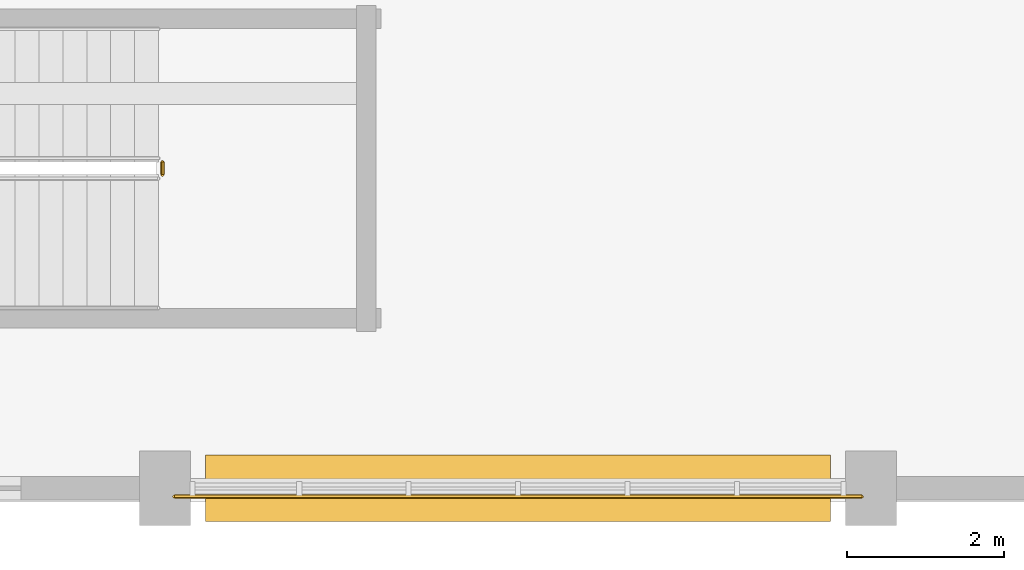
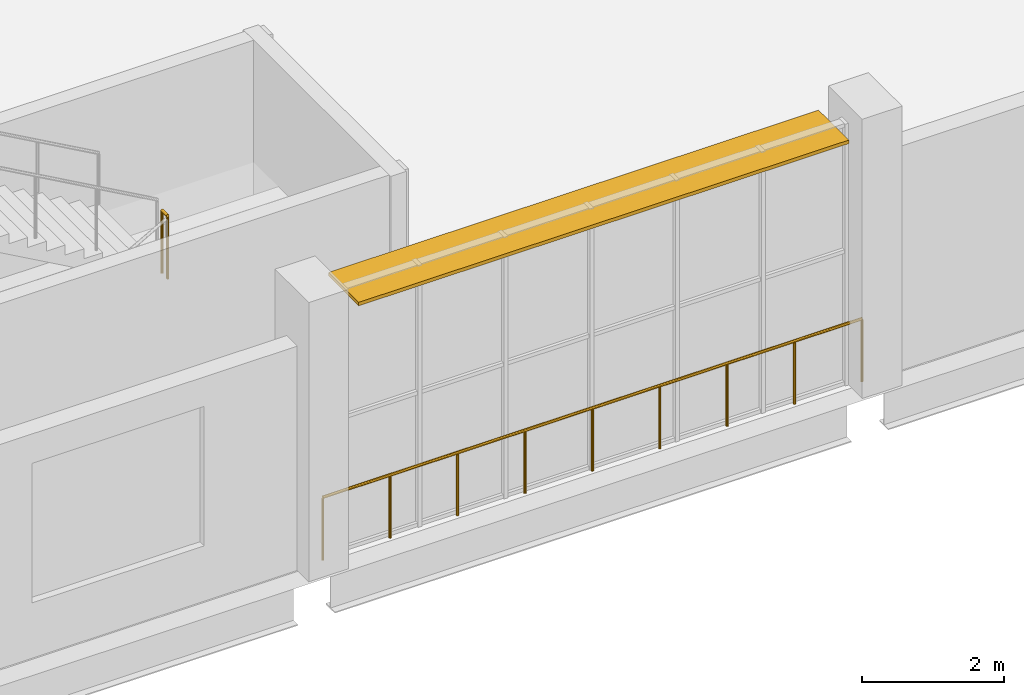
# One storey, part 127 of 179: 2 railings, 1 shading device.
"""IFC4 building model written with IfcOpenShell, lengths in metres."""

from ifc_helpers import new_model, si_unit, direction, frame, origin, origin_2d, place, context, subcontext, project, spatial, rectangle, circle, extrude, material, layer, layer_set, type_object, element, save


model = new_model("IFC4")

# Units and contexts
model_context = context("Model", 3, precision=1e-05, world=origin(), true_north=direction((0.0, 1.0)))
body_context = subcontext(model_context, "Body", "Model", "MODEL_VIEW")
ifc_project = project(units=[si_unit("LENGTHUNIT", "METRE"), si_unit("AREAUNIT", "SQUARE_METRE"), si_unit("VOLUMEUNIT", "CUBIC_METRE"), si_unit("PLANEANGLEUNIT", "RADIAN"), si_unit("MASSUNIT", "GRAM", prefix="KILO")], contexts=[model_context])

# Site, building, storey
site_placement = place(None, origin())
site = spatial("IfcSite", under=ifc_project, at=site_placement, CompositionType="ELEMENT")
building_placement = place(site_placement, origin())
building = spatial("IfcBuilding", under=site, at=building_placement, Name="Zevraka Park Crest Stadium", CompositionType="ELEMENT")
storey_placement = place(building_placement, frame((0.0, 0.0, 10.199951171875)))
storey = spatial("IfcBuildingStorey", under=building, at=storey_placement, Name="L02", CompositionType="ELEMENT", Elevation=10.199951171875)

# Railings
ifc_material_1 = material(Name="Galvanised and bronze-finished steel balustrade", Category="steel")
railing_type_1 = type_object("IfcRailingType", Name="GR01", PredefinedType="GUARDRAIL", material=ifc_material_1)
railing_1_placement = place(storey_placement, frame((53.884033203125, -0.10498046875, 0.0)))
element("IfcRailing", 1, at=railing_1_placement, inside=storey, type_object=railing_type_1, Name="Deck Edge Protection Guardrail GR01 L02-38", PredefinedType="GUARDRAIL", context=body_context, shape_type="SweptSolid", body=[
    extrude(circle(Radius=0.02392578125, at=origin_2d()), frame((0.0, 0.0, 1.076171875), z_axis=(-1.0, 0.0, 0.0), x_axis=(0.0, -1.0, 0.0)), (0.0, 0.0, 1.0), 8.76806640625),
    extrude(circle(Radius=0.02099609375, at=origin_2d()), origin(), (0.0, 0.0, 1.0), 1.052001953125),
    extrude(circle(Radius=0.02099609375, at=origin_2d()), frame((-1.095947265625, 0.0, 0.0)), (0.0, 0.0, 1.0), 1.052001953125),
    extrude(circle(Radius=0.02099609375, at=origin_2d()), frame((-2.19189453125, 0.0, 0.0)), (0.0, 0.0, 1.0), 1.052001953125),
    extrude(circle(Radius=0.02099609375, at=origin_2d()), frame((-3.2880859375, 0.0, 0.0)), (0.0, 0.0, 1.0), 1.052001953125),
    extrude(circle(Radius=0.02099609375, at=origin_2d()), frame((-4.384033203125, 0.0, 0.0)), (0.0, 0.0, 1.0), 1.052001953125),
    extrude(circle(Radius=0.02099609375, at=origin_2d()), frame((-5.47998046875, 0.0, 0.0)), (0.0, 0.0, 1.0), 1.052001953125),
    extrude(circle(Radius=0.02099609375, at=origin_2d()), frame((-6.576171875, 0.0, 0.0)), (0.0, 0.0, 1.0), 1.052001953125),
    extrude(circle(Radius=0.02099609375, at=origin_2d()), frame((-7.672119140625, 0.0, 0.0)), (0.0, 0.0, 1.0), 1.052001953125),
    extrude(circle(Radius=0.02099609375, at=origin_2d()), frame((-8.76806640625, 0.0, 0.0)), (0.0, 0.0, 1.0), 1.052001953125),
])
ifc_material_2 = material(Name="Powder-coated tubular steel stairwell guard", Category="steel")
railing_type_2 = type_object("IfcRailingType", Name="GR03", PredefinedType="GUARDRAIL", material=ifc_material_2)
railing_2_placement = place(storey_placement, frame((44.965087890625, 4.0, 2.400146484375)))
element("IfcRailing", 2, at=railing_2_placement, inside=storey, type_object=railing_type_2, Name="L02 ST52 stair guard 2", PredefinedType="GUARDRAIL", context=body_context, shape_type="SweptSolid", body=[
    extrude(circle(Radius=0.02392578125, at=origin_2d()), frame((0.0, 0.0, 1.076171875), z_axis=(0.0, 1.0, 0.0), x_axis=(-1.0, 0.0, 0.0)), (0.0, 0.0, 1.0), 0.159912109375),
    extrude(circle(Radius=0.02099609375, at=origin_2d()), origin(), (0.0, 0.0, 1.0), 1.052001953125),
    extrude(circle(Radius=0.02099609375, at=origin_2d()), frame((0.0, 0.159912109375, 0.0)), (0.0, 0.0, 1.0), 1.052001953125),
])

# Shading device
ifc_material_3 = material(Name="Architectural golden-bronze anodised bronze", Category="aluminium")
ifc_layer = layer(ifc_material_3, 0.06005859375)
ifc_layer_set = layer_set([ifc_layer], Name="Architectural golden-bronze anodised bronze")
shading_device_type = type_object("IfcShadingDeviceType", Name="SHD01", PredefinedType="USERDEFINED", material=ifc_layer_set)
shading_device_placement = place(storey_placement, frame((49.5, 0.0, 4.419921875), z_axis=(0.0, 0.0, 1.0), x_axis=(-1.0, 0.0, 0.0)))
element("IfcShadingDevice", 3, at=shading_device_placement, inside=storey, type_object=shading_device_type, Name="Wing Bronze Solar Screen SHD01 L02-SW-S1-4", ObjectType="SOLAR SCREEN", PredefinedType="USERDEFINED", context=body_context, shape_type="SweptSolid", body=[
    extrude(rectangle(XDim=7.969970703125, YDim=0.85009765625, at=origin_2d()), origin(), (0.0, 0.0, 1.0), 0.06005859375),
])

save(model, "model.ifc")
